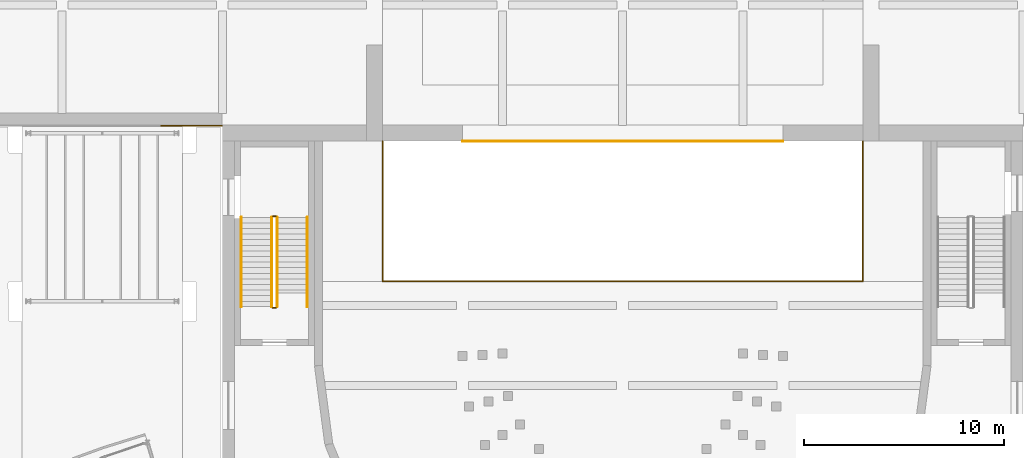
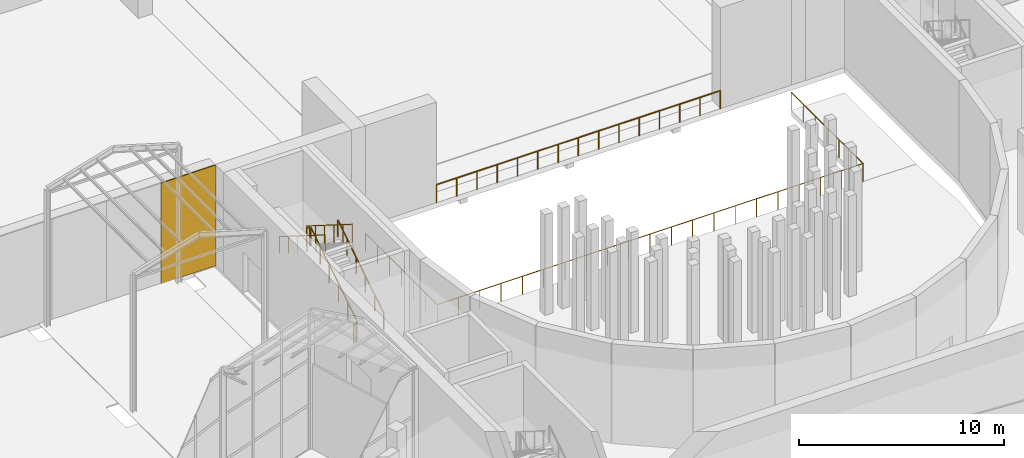
# One storey, part 134 of 155: 8 railings, 1 covering.
"""IFC4 building model written with IfcOpenShell, lengths in metres."""

from ifc_helpers import new_model, si_unit, direction, frame, origin, origin_2d, place, context, subcontext, project, spatial, rectangle, circle, extrude, material, layer, layer_set, type_object, element, save


model = new_model("IFC4")

# Units and contexts
model_context = context("Model", 3, precision=1e-05, world=origin(), true_north=direction((0.0, 1.0)))
body_context = subcontext(model_context, "Body", "Model", "MODEL_VIEW")
ifc_project = project(units=[si_unit("LENGTHUNIT", "METRE"), si_unit("AREAUNIT", "SQUARE_METRE"), si_unit("VOLUMEUNIT", "CUBIC_METRE"), si_unit("PLANEANGLEUNIT", "RADIAN"), si_unit("MASSUNIT", "GRAM", prefix="KILO")], contexts=[model_context])

# Site, building, storey
site_placement = place(None, origin())
site = spatial("IfcSite", under=ifc_project, at=site_placement, CompositionType="ELEMENT")
building_placement = place(site_placement, origin())
building = spatial("IfcBuilding", under=site, at=building_placement, Name="Lunette Opera House", CompositionType="ELEMENT")
storey_placement = place(building_placement, origin())
storey = spatial("IfcBuildingStorey", under=building, at=storey_placement, Name="L00", CompositionType="ELEMENT", Elevation=0.0)

# Railings
ifc_material_1 = material(Name="Steel S355", Category="steel")
railing_type_1 = type_object("IfcRailingType", Name="PIT GUARD 1100", PredefinedType="GUARDRAIL", material=ifc_material_1)
railing_1_placement = place(storey_placement, frame((84.0, 95.199951171875, -1.5)))
element("IfcRailing", 1, at=railing_1_placement, inside=storey, type_object=railing_type_1, Name="Orchestra pit guard", PredefinedType="GUARDRAIL", context=body_context, shape_type="SweptSolid", body=[
    extrude(circle(Radius=0.02392578125, at=origin_2d()), frame((0.0, 0.0, 1.076171875), z_axis=(0.0, -1.0, 0.0), x_axis=(1.0, 0.0, 0.0)), (0.0, 0.0, 1.0), 7.0),
    extrude(circle(Radius=0.02392578125, at=origin_2d()), frame((0.0, -7.0, 1.076171875), z_axis=(1.0, 0.0, 0.0), x_axis=(0.0, 1.0, 0.0)), (0.0, 0.0, 1.0), 24.0),
    extrude(circle(Radius=0.02392578125, at=origin_2d()), frame((24.0, -7.0, 1.076171875), z_axis=(0.0, 1.0, 0.0), x_axis=(-1.0, 0.0, 0.0)), (0.0, 0.0, 1.0), 7.0),
    extrude(circle(Radius=0.02099609375, at=origin_2d()), origin(), (0.0, 0.0, 1.0), 1.052001953125),
    extrude(circle(Radius=0.02099609375, at=origin_2d()), frame((0.0, -1.166748046875, 0.0)), (0.0, 0.0, 1.0), 1.052001953125),
    extrude(circle(Radius=0.02099609375, at=origin_2d()), frame((0.0, -2.333251953125, 0.0)), (0.0, 0.0, 1.0), 1.052001953125),
    extrude(circle(Radius=0.02099609375, at=origin_2d()), frame((0.0, -3.5, 0.0)), (0.0, 0.0, 1.0), 1.052001953125),
    extrude(circle(Radius=0.02099609375, at=origin_2d()), frame((0.0, -4.666748046875, 0.0)), (0.0, 0.0, 1.0), 1.052001953125),
    extrude(circle(Radius=0.02099609375, at=origin_2d()), frame((0.0, -5.833251953125, 0.0)), (0.0, 0.0, 1.0), 1.052001953125),
    extrude(circle(Radius=0.02099609375, at=origin_2d()), frame((0.0, -7.0, 0.0)), (0.0, 0.0, 1.0), 1.052001953125),
    extrude(circle(Radius=0.02099609375, at=origin_2d()), frame((1.199951171875, -7.0, 0.0)), (0.0, 0.0, 1.0), 1.052001953125),
    extrude(circle(Radius=0.02099609375, at=origin_2d()), frame((2.39990234375, -7.0, 0.0)), (0.0, 0.0, 1.0), 1.052001953125),
    extrude(circle(Radius=0.02099609375, at=origin_2d()), frame((3.60009765625, -7.0, 0.0)), (0.0, 0.0, 1.0), 1.052001953125),
    extrude(circle(Radius=0.02099609375, at=origin_2d()), frame((4.800048828125, -7.0, 0.0)), (0.0, 0.0, 1.0), 1.052001953125),
    extrude(circle(Radius=0.02099609375, at=origin_2d()), frame((6.0, -7.0, 0.0)), (0.0, 0.0, 1.0), 1.052001953125),
    extrude(circle(Radius=0.02099609375, at=origin_2d()), frame((7.199951171875, -7.0, 0.0)), (0.0, 0.0, 1.0), 1.052001953125),
    extrude(circle(Radius=0.02099609375, at=origin_2d()), frame((8.39990234375, -7.0, 0.0)), (0.0, 0.0, 1.0), 1.052001953125),
    extrude(circle(Radius=0.02099609375, at=origin_2d()), frame((9.60009765625, -7.0, 0.0)), (0.0, 0.0, 1.0), 1.052001953125),
    extrude(circle(Radius=0.02099609375, at=origin_2d()), frame((10.800048828125, -7.0, 0.0)), (0.0, 0.0, 1.0), 1.052001953125),
    extrude(circle(Radius=0.02099609375, at=origin_2d()), frame((12.0, -7.0, 0.0)), (0.0, 0.0, 1.0), 1.052001953125),
    extrude(circle(Radius=0.02099609375, at=origin_2d()), frame((13.199951171875, -7.0, 0.0)), (0.0, 0.0, 1.0), 1.052001953125),
    extrude(circle(Radius=0.02099609375, at=origin_2d()), frame((14.39990234375, -7.0, 0.0)), (0.0, 0.0, 1.0), 1.052001953125),
    extrude(circle(Radius=0.02099609375, at=origin_2d()), frame((15.60009765625, -7.0, 0.0)), (0.0, 0.0, 1.0), 1.052001953125),
    extrude(circle(Radius=0.02099609375, at=origin_2d()), frame((16.800048828125, -7.0, 0.0)), (0.0, 0.0, 1.0), 1.052001953125),
    extrude(circle(Radius=0.02099609375, at=origin_2d()), frame((18.0, -7.0, 0.0)), (0.0, 0.0, 1.0), 1.052001953125),
    extrude(circle(Radius=0.02099609375, at=origin_2d()), frame((19.199951171875, -7.0, 0.0)), (0.0, 0.0, 1.0), 1.052001953125),
    extrude(circle(Radius=0.02099609375, at=origin_2d()), frame((20.39990234375, -7.0, 0.0)), (0.0, 0.0, 1.0), 1.052001953125),
    extrude(circle(Radius=0.02099609375, at=origin_2d()), frame((21.60009765625, -7.0, 0.0)), (0.0, 0.0, 1.0), 1.052001953125),
    extrude(circle(Radius=0.02099609375, at=origin_2d()), frame((22.800048828125, -7.0, 0.0)), (0.0, 0.0, 1.0), 1.052001953125),
    extrude(circle(Radius=0.02099609375, at=origin_2d()), frame((24.0, -7.0, 0.0)), (0.0, 0.0, 1.0), 1.052001953125),
    extrude(circle(Radius=0.02099609375, at=origin_2d()), frame((24.0, -5.833251953125, 0.0)), (0.0, 0.0, 1.0), 1.052001953125),
    extrude(circle(Radius=0.02099609375, at=origin_2d()), frame((24.0, -4.666748046875, 0.0)), (0.0, 0.0, 1.0), 1.052001953125),
    extrude(circle(Radius=0.02099609375, at=origin_2d()), frame((24.0, -3.5, 0.0)), (0.0, 0.0, 1.0), 1.052001953125),
    extrude(circle(Radius=0.02099609375, at=origin_2d()), frame((24.0, -2.333251953125, 0.0)), (0.0, 0.0, 1.0), 1.052001953125),
    extrude(circle(Radius=0.02099609375, at=origin_2d()), frame((24.0, -1.166748046875, 0.0)), (0.0, 0.0, 1.0), 1.052001953125),
    extrude(circle(Radius=0.02099609375, at=origin_2d()), frame((24.0, 0.0, 0.0)), (0.0, 0.0, 1.0), 1.052001953125),
])
railing_2_placement = place(storey_placement, frame((88.0, 95.199951171875, 0.0)))
element("IfcRailing", 2, at=railing_2_placement, inside=storey, type_object=railing_type_1, Name="Orchestra pit stage-side guard", PredefinedType="GUARDRAIL", context=body_context, shape_type="SweptSolid", body=[
    extrude(circle(Radius=0.02392578125, at=origin_2d()), frame((0.0, 0.0, 1.076171875), z_axis=(1.0, 0.0, 0.0), x_axis=(0.0, 1.0, 0.0)), (0.0, 0.0, 1.0), 16.0),
    extrude(circle(Radius=0.02099609375, at=origin_2d()), origin(), (0.0, 0.0, 1.0), 1.052001953125),
    extrude(circle(Radius=0.02099609375, at=origin_2d()), frame((1.142822265625, 0.0, 0.0)), (0.0, 0.0, 1.0), 1.052001953125),
    extrude(circle(Radius=0.02099609375, at=origin_2d()), frame((2.28564453125, 0.0, 0.0)), (0.0, 0.0, 1.0), 1.052001953125),
    extrude(circle(Radius=0.02099609375, at=origin_2d()), frame((3.428466796875, 0.0, 0.0)), (0.0, 0.0, 1.0), 1.052001953125),
    extrude(circle(Radius=0.02099609375, at=origin_2d()), frame((4.571533203125, 0.0, 0.0)), (0.0, 0.0, 1.0), 1.052001953125),
    extrude(circle(Radius=0.02099609375, at=origin_2d()), frame((5.71435546875, 0.0, 0.0)), (0.0, 0.0, 1.0), 1.052001953125),
    extrude(circle(Radius=0.02099609375, at=origin_2d()), frame((6.857177734375, 0.0, 0.0)), (0.0, 0.0, 1.0), 1.052001953125),
    extrude(circle(Radius=0.02099609375, at=origin_2d()), frame((8.0, 0.0, 0.0)), (0.0, 0.0, 1.0), 1.052001953125),
    extrude(circle(Radius=0.02099609375, at=origin_2d()), frame((9.142822265625, 0.0, 0.0)), (0.0, 0.0, 1.0), 1.052001953125),
    extrude(circle(Radius=0.02099609375, at=origin_2d()), frame((10.28564453125, 0.0, 0.0)), (0.0, 0.0, 1.0), 1.052001953125),
    extrude(circle(Radius=0.02099609375, at=origin_2d()), frame((11.428466796875, 0.0, 0.0)), (0.0, 0.0, 1.0), 1.052001953125),
    extrude(circle(Radius=0.02099609375, at=origin_2d()), frame((12.571533203125, 0.0, 0.0)), (0.0, 0.0, 1.0), 1.052001953125),
    extrude(circle(Radius=0.02099609375, at=origin_2d()), frame((13.71435546875, 0.0, 0.0)), (0.0, 0.0, 1.0), 1.052001953125),
    extrude(circle(Radius=0.02099609375, at=origin_2d()), frame((14.857177734375, 0.0, 0.0)), (0.0, 0.0, 1.0), 1.052001953125),
    extrude(circle(Radius=0.02099609375, at=origin_2d()), frame((16.0, 0.0, 0.0)), (0.0, 0.0, 1.0), 1.052001953125),
])
ifc_material_2 = material(Name="Steel S355", Category="steel")
railing_type_2 = type_object("IfcRailingType", Name="STAIR GUARD 1100", PredefinedType="GUARDRAIL", material=ifc_material_2)
railing_3_placement = place(storey_placement, frame((78.72998046875, 86.919921875, 0.176513671875)))
element("IfcRailing", 3, at=railing_3_placement, inside=storey, type_object=railing_type_2, Name="L00 ST10 stair guard 1", PredefinedType="GUARDRAIL", context=body_context, shape_type="SweptSolid", body=[
    extrude(circle(Radius=0.02392578125, at=origin_2d()), frame((0.0, 0.0, 1.076171875), z_axis=(0.0, 0.845997938375, 0.533186166611), x_axis=(-1.0, 0.0, 0.0)), (0.0, 0.0, 1.0), 5.29541015625),
    extrude(circle(Radius=0.02099609375, at=origin_2d()), origin(), (0.0, 0.0, 1.0), 1.052001953125),
    extrude(circle(Radius=0.02099609375, at=origin_2d()), frame((0.0, 0.89599609375, 0.564697265625)), (0.0, 0.0, 1.0), 1.052001953125),
    extrude(circle(Radius=0.02099609375, at=origin_2d()), frame((0.0, 1.7919921875, 1.12939453125)), (0.0, 0.0, 1.0), 1.052001953125),
    extrude(circle(Radius=0.02099609375, at=origin_2d()), frame((0.0, 2.68798828125, 1.694091796875)), (0.0, 0.0, 1.0), 1.052001953125),
    extrude(circle(Radius=0.02099609375, at=origin_2d()), frame((0.0, 3.583984375, 2.2587890625)), (0.0, 0.0, 1.0), 1.052001953125),
    extrude(circle(Radius=0.02099609375, at=origin_2d()), frame((0.0, 4.47998046875, 2.823486328125)), (0.0, 0.0, 1.0), 1.052001953125),
])
railing_4_placement = place(storey_placement, frame((78.679931640625, 91.449951171875, 3.0)))
element("IfcRailing", 4, at=railing_4_placement, inside=storey, type_object=railing_type_2, Name="L00 ST10 stair guard 2", PredefinedType="GUARDRAIL", context=body_context, shape_type="SweptSolid", body=[
    extrude(circle(Radius=0.02392578125, at=origin_2d()), frame((0.0, 0.0, 1.076171875), z_axis=(-1.0, 0.0, 0.0), x_axis=(0.0, -1.0, 0.0)), (0.0, 0.0, 1.0), 0.159912109375),
    extrude(circle(Radius=0.02099609375, at=origin_2d()), origin(), (0.0, 0.0, 1.0), 1.052001953125),
    extrude(circle(Radius=0.02099609375, at=origin_2d()), frame((-0.159912109375, 0.0, 0.0)), (0.0, 0.0, 1.0), 1.052001953125),
])
railing_5_placement = place(storey_placement, frame((78.469970703125, 91.39990234375, 3.176513671875)))
element("IfcRailing", 5, at=railing_5_placement, inside=storey, type_object=railing_type_2, Name="L00 ST10 stair guard 3", PredefinedType="GUARDRAIL", context=body_context, shape_type="SweptSolid", body=[
    extrude(circle(Radius=0.02392578125, at=origin_2d()), frame((0.0, 0.0, 1.076171875), z_axis=(0.0, -0.845997938375, 0.533186166611), x_axis=(1.0, 0.0, 0.0)), (0.0, 0.0, 1.0), 5.29541015625),
    extrude(circle(Radius=0.02099609375, at=origin_2d()), origin(), (0.0, 0.0, 1.0), 1.052001953125),
    extrude(circle(Radius=0.02099609375, at=origin_2d()), frame((0.0, -0.89599609375, 0.564697265625)), (0.0, 0.0, 1.0), 1.052001953125),
    extrude(circle(Radius=0.02099609375, at=origin_2d()), frame((0.0, -1.7919921875, 1.12939453125)), (0.0, 0.0, 1.0), 1.052001953125),
    extrude(circle(Radius=0.02099609375, at=origin_2d()), frame((0.0, -2.68798828125, 1.694091796875)), (0.0, 0.0, 1.0), 1.052001953125),
    extrude(circle(Radius=0.02099609375, at=origin_2d()), frame((0.0, -3.583984375, 2.2587890625)), (0.0, 0.0, 1.0), 1.052001953125),
    extrude(circle(Radius=0.02099609375, at=origin_2d()), frame((0.0, -4.47998046875, 2.823486328125)), (0.0, 0.0, 1.0), 1.052001953125),
])
railing_6_placement = place(storey_placement, frame((78.679931640625, 86.8701171875, 0.0)))
element("IfcRailing", 6, at=railing_6_placement, inside=storey, type_object=railing_type_2, Name="L00 ST10 stair guard 4", PredefinedType="GUARDRAIL", context=body_context, shape_type="SweptSolid", body=[
    extrude(circle(Radius=0.02392578125, at=origin_2d()), frame((0.0, 0.0, 1.076171875), z_axis=(-1.0, 0.0, 0.0), x_axis=(0.0, -1.0, 0.0)), (0.0, 0.0, 1.0), 0.159912109375),
    extrude(circle(Radius=0.02099609375, at=origin_2d()), origin(), (0.0, 0.0, 1.0), 1.052001953125),
    extrude(circle(Radius=0.02099609375, at=origin_2d()), frame((-0.159912109375, 0.0, 0.0)), (0.0, 0.0, 1.0), 1.052001953125),
])
ifc_material_3 = material(Name="Steel S355", Category="steel")
railing_type_3 = type_object("IfcRailingType", Name="STAIR HANDRAIL 1000", PredefinedType="HANDRAIL", material=ifc_material_3)
railing_7_placement = place(storey_placement, frame((80.25, 86.919921875, 0.176513671875)))
element("IfcRailing", 7, at=railing_7_placement, inside=storey, type_object=railing_type_3, Name="L00 ST10 stair handrail 1", PredefinedType="HANDRAIL", context=body_context, shape_type="SweptSolid", body=[
    extrude(circle(Radius=0.02392578125, at=origin_2d()), frame((0.0, 0.0, 0.97607421875), z_axis=(0.0, 0.845997938375, 0.533186166611), x_axis=(-1.0, 0.0, 0.0)), (0.0, 0.0, 1.0), 5.29541015625),
    extrude(circle(Radius=0.02099609375, at=origin_2d()), origin(), (0.0, 0.0, 1.0), 0.951904296875),
    extrude(circle(Radius=0.02099609375, at=origin_2d()), frame((0.0, 0.89599609375, 0.564697265625)), (0.0, 0.0, 1.0), 0.951904296875),
    extrude(circle(Radius=0.02099609375, at=origin_2d()), frame((0.0, 1.7919921875, 1.12939453125)), (0.0, 0.0, 1.0), 0.951904296875),
    extrude(circle(Radius=0.02099609375, at=origin_2d()), frame((0.0, 2.68798828125, 1.694091796875)), (0.0, 0.0, 1.0), 0.951904296875),
    extrude(circle(Radius=0.02099609375, at=origin_2d()), frame((0.0, 3.583984375, 2.2587890625)), (0.0, 0.0, 1.0), 0.951904296875),
    extrude(circle(Radius=0.02099609375, at=origin_2d()), frame((0.0, 4.47998046875, 2.823486328125)), (0.0, 0.0, 1.0), 0.951904296875),
])
railing_8_placement = place(storey_placement, frame((76.949951171875, 91.39990234375, 3.176513671875)))
element("IfcRailing", 8, at=railing_8_placement, inside=storey, type_object=railing_type_3, Name="L00 ST10 stair handrail 2", PredefinedType="HANDRAIL", context=body_context, shape_type="SweptSolid", body=[
    extrude(circle(Radius=0.02392578125, at=origin_2d()), frame((0.0, 0.0, 0.97607421875), z_axis=(0.0, -0.845997938375, 0.533186166611), x_axis=(1.0, 0.0, 0.0)), (0.0, 0.0, 1.0), 5.29541015625),
    extrude(circle(Radius=0.02099609375, at=origin_2d()), origin(), (0.0, 0.0, 1.0), 0.951904296875),
    extrude(circle(Radius=0.02099609375, at=origin_2d()), frame((0.0, -0.89599609375, 0.564697265625)), (0.0, 0.0, 1.0), 0.951904296875),
    extrude(circle(Radius=0.02099609375, at=origin_2d()), frame((0.0, -1.7919921875, 1.12939453125)), (0.0, 0.0, 1.0), 0.951904296875),
    extrude(circle(Radius=0.02099609375, at=origin_2d()), frame((0.0, -2.68798828125, 1.694091796875)), (0.0, 0.0, 1.0), 0.951904296875),
    extrude(circle(Radius=0.02099609375, at=origin_2d()), frame((0.0, -3.583984375, 2.2587890625)), (0.0, 0.0, 1.0), 0.951904296875),
    extrude(circle(Radius=0.02099609375, at=origin_2d()), frame((0.0, -4.47998046875, 2.823486328125)), (0.0, 0.0, 1.0), 0.951904296875),
])

# Covering
ifc_material_4 = material(Name="Aluminium standing seam cladding", Category="aluminium")
ifc_layer = layer(ifc_material_4, 0.06005859375)
ifc_layer_set = layer_set([ifc_layer], Name="Aluminium standing seam cladding")
covering_type = type_object("IfcCoveringType", Name="STANDING SEAM CLADDING 60", PredefinedType="CLADDING", material=ifc_layer_set)
covering_placement = place(storey_placement, frame((74.450927734375, 95.969970703125, 0.0), z_axis=(0.0, 0.0, 1.0), x_axis=(1.0, 0.0, 0.0)))
element("IfcCovering", 9, at=covering_placement, inside=storey, type_object=covering_type, Name="Standing seam cladding SW-S-1 L00 04", PredefinedType="CLADDING", context=body_context, shape_type="SweptSolid", body=[
    extrude(rectangle(XDim=3.077880859375, YDim=0.06005859375, at=origin_2d()), origin(), (0.0, 0.0, 1.0), 6.0),
])

save(model, "model.ifc")
